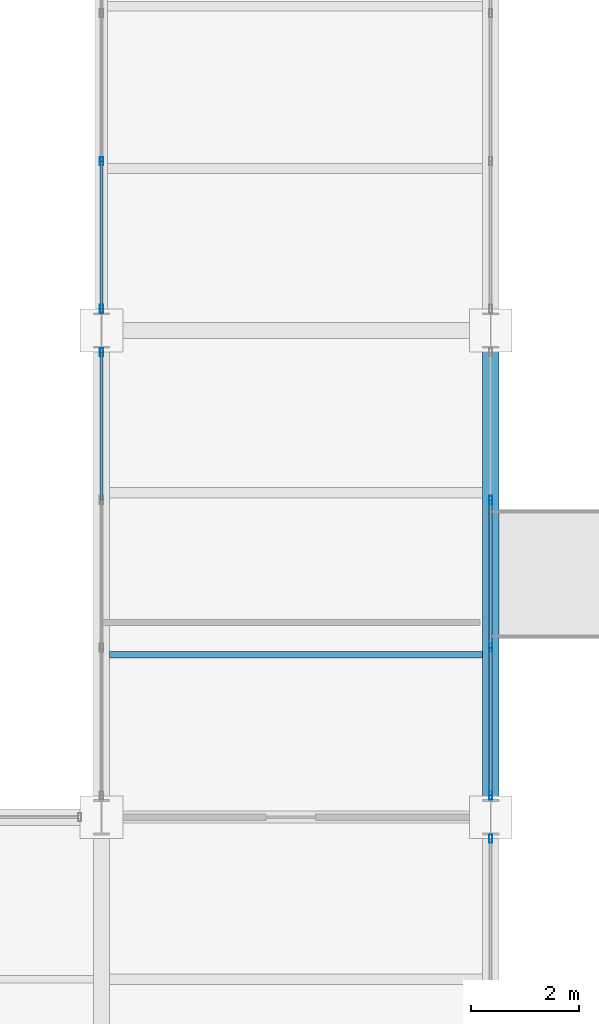
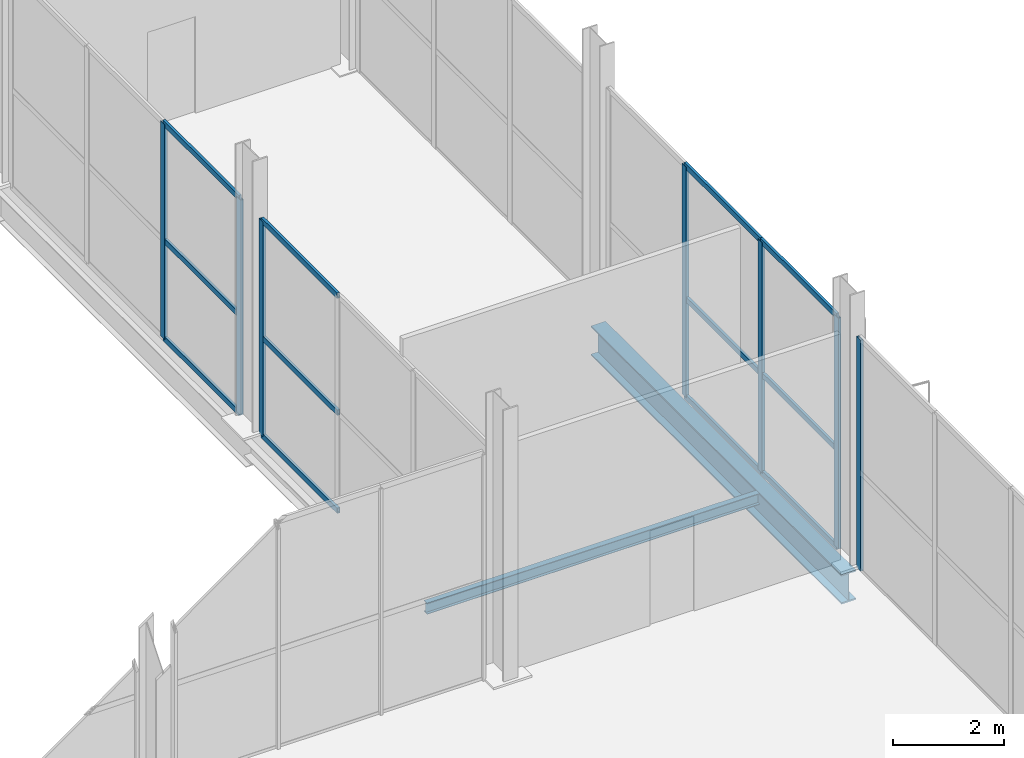
# One storey, part 92 of 144: 19 members, 2 beams, 4 elements without a shape of their own.
"""IFC4 building model written with IfcOpenShell, lengths in metres."""

from ifc_helpers import new_model, si_unit, direction, frame, origin, origin_2d, place, context, subcontext, project, spatial, hollow_rectangle, i_section, extrude, material, layer, layer_set, material_profile, profile_set, type_object, element, aggregate, save


model = new_model("IFC4")

# Units and contexts
model_context = context("Model", 3, precision=1e-05, world=origin(), true_north=direction((0.0, 1.0)))
body_context = subcontext(model_context, "Body", "Model", "MODEL_VIEW")
ifc_project = project(units=[si_unit("LENGTHUNIT", "METRE"), si_unit("AREAUNIT", "SQUARE_METRE"), si_unit("VOLUMEUNIT", "CUBIC_METRE"), si_unit("PLANEANGLEUNIT", "RADIAN"), si_unit("MASSUNIT", "GRAM", prefix="KILO")], contexts=[model_context])

# Site, building, storey
site_placement = place(None, origin())
site = spatial("IfcSite", under=ifc_project, at=site_placement, CompositionType="ELEMENT")
building_placement = place(site_placement, origin())
building = spatial("IfcBuilding", under=site, at=building_placement, Name="Sundgate Opera House", CompositionType="ELEMENT")
storey_placement = place(building_placement, origin())
storey = spatial("IfcBuildingStorey", under=building, at=storey_placement, Name="L00", CompositionType="ELEMENT", Elevation=0.0)

# Beams
ifc_material_1 = material(Name="Steel S355J2", Category="steel")
ifc_material_profile_1 = material_profile(ifc_material_1, i_section(OverallWidth=0.300048828125, OverallDepth=0.64990234375, WebThickness=0.01611328125, FlangeThickness=0.031005859375, at=origin_2d()), Name="HEB 650")
ifc_profile_set_1 = profile_set([ifc_material_profile_1], Name="Steel S355J2")
beam_type_1 = type_object("IfcBeamType", Name="BM-GR-HEB650", PredefinedType="BEAM", material=ifc_profile_set_1)
beam_1_placement = place(storey_placement, frame((145.800048828125, 42.0, -0.64501953125), z_axis=(0.0, 1.0, 0.0), x_axis=(-1.0, 0.0, 0.0)))
element("IfcBeam", 1, at=beam_1_placement, inside=storey, type_object=beam_type_1, Name="L00 Primary N-S Girder B0280", PredefinedType="BEAM", context=body_context, shape_type="SweptSolid", body=[
    extrude(i_section(OverallWidth=0.300048828125, OverallDepth=0.64990234375, WebThickness=0.01611328125, FlangeThickness=0.031005859375, at=origin_2d()), origin(), (0.0, 0.0, 1.0), 9.0),
])
ifc_material_2 = material(Name="Steel S355J2", Category="steel")
ifc_material_profile_2 = material_profile(ifc_material_2, i_section(OverallWidth=0.1201171875, OverallDepth=0.239990234375, WebThickness=0.006103515625, FlangeThickness=0.009765625, at=origin_2d()), Name="IPE 240")
ifc_profile_set_2 = profile_set([ifc_material_profile_2], Name="Steel S355J2")
beam_type_2 = type_object("IfcBeamType", Name="BM-JS-IPE240", PredefinedType="JOIST", material=ifc_profile_set_2)
beam_2_placement = place(storey_placement, frame((138.75, 45.0, -0.43994140625), z_axis=(1.0, 0.0, 0.0), x_axis=(0.0, 1.0, 0.0)))
element("IfcBeam", 2, at=beam_2_placement, inside=storey, type_object=beam_type_2, Name="L00 Secondary Floor Joist B0769", PredefinedType="JOIST", context=body_context, shape_type="SweptSolid", body=[
    extrude(i_section(OverallWidth=0.1201171875, OverallDepth=0.239990234375, WebThickness=0.006103515625, FlangeThickness=0.009765625, at=origin_2d()), origin(), (0.0, 0.0, 1.0), 6.89990234375),
])

# Curtain wall, member
ifc_material_3 = material(Name="Anodized aluminium and low-iron glass", Category="aluminium")
ifc_layer = layer(ifc_material_3, 0.159912109375)
ifc_layer_set = layer_set([ifc_layer], Name="Anodized aluminium and low-iron glass")
curtain_wall_type = type_object("IfcCurtainWallType", Name="CW-STUDIO-DARK", PredefinedType="NOTDEFINED", material=ifc_layer_set)
curtain_wall_1_placement = place(storey_placement, origin())
curtain_wall_1 = element("IfcCurtainWall", 3, at=curtain_wall_1_placement, inside=storey, type_object=curtain_wall_type, Name="L00 Curtain Wall CW027", PredefinedType="NOTDEFINED")
ifc_material_4 = material(Name="Anodized aluminium EN AW-6063", Category="aluminium")
ifc_material_profile_3 = material_profile(ifc_material_4, hollow_rectangle(XDim=0.06005859375, YDim=0.14990234375, WallThickness=0.00390625, at=origin_2d()), Name="CWM 150x60x4")
ifc_profile_set_3 = profile_set([ifc_material_profile_3], Name="Anodized aluminium EN AW-6063")
member_type_1 = type_object("IfcMemberType", Name="CWM-ALU-150x60", PredefinedType="MULLION", material=ifc_profile_set_3)
member_1_placement = place(storey_placement, frame((145.800048828125, 41.60009765625, 0.0), z_axis=(0.0, 0.0, 1.0), x_axis=(1.0, 0.0, 0.0)))
member_1 = element("IfcMember", 4, at=member_1_placement, type_object=member_type_1, Name="CW027 Mullion 4", PredefinedType="MULLION", context=body_context, shape_type="SweptSolid", body=[
    extrude(hollow_rectangle(XDim=0.06005859375, YDim=0.14990234375, WallThickness=0.00390625, at=origin_2d()), origin(), (0.0, 0.0, 1.0), 5.06494140625),
])
aggregate(curtain_wall_1, [member_1])

# Curtain wall, members
curtain_wall_2_placement = place(storey_placement, origin())
curtain_wall_2 = element("IfcCurtainWall", 5, at=curtain_wall_2_placement, inside=storey, type_object=curtain_wall_type, Name="L00 Curtain Wall CW029", PredefinedType="NOTDEFINED")
member_2_placement = place(storey_placement, frame((145.800048828125, 42.39990234375, 0.0), z_axis=(0.0, 0.0, 1.0), x_axis=(1.0, 0.0, 0.0)))
member_2 = element("IfcMember", 6, at=member_2_placement, type_object=member_type_1, Name="CW029 Mullion 1", PredefinedType="MULLION", context=body_context, shape_type="SweptSolid", body=[
    extrude(hollow_rectangle(XDim=0.06005859375, YDim=0.14990234375, WallThickness=0.00390625, at=origin_2d()), origin(), (0.0, 0.0, 1.0), 5.06494140625),
])
member_3_placement = place(storey_placement, frame((145.800048828125, 45.13330078125, 0.0), z_axis=(0.0, 0.0, 1.0), x_axis=(1.0, 0.0, 0.0)))
member_3 = element("IfcMember", 7, at=member_3_placement, type_object=member_type_1, Name="CW029 Mullion 2", PredefinedType="MULLION", context=body_context, shape_type="SweptSolid", body=[
    extrude(hollow_rectangle(XDim=0.06005859375, YDim=0.14990234375, WallThickness=0.00390625, at=origin_2d()), origin(), (0.0, 0.0, 1.0), 5.06494140625),
])
member_4_placement = place(storey_placement, frame((145.800048828125, 47.86669921875, 0.0), z_axis=(0.0, 0.0, 1.0), x_axis=(1.0, 0.0, 0.0)))
member_4 = element("IfcMember", 8, at=member_4_placement, type_object=member_type_1, Name="CW029 Mullion 3", PredefinedType="MULLION", context=body_context, shape_type="SweptSolid", body=[
    extrude(hollow_rectangle(XDim=0.06005859375, YDim=0.14990234375, WallThickness=0.00390625, at=origin_2d()), origin(), (0.0, 0.0, 1.0), 5.06494140625),
])

# Curtain wall, member
curtain_wall_3_placement = place(storey_placement, origin())
curtain_wall_3 = element("IfcCurtainWall", 9, at=curtain_wall_3_placement, inside=storey, type_object=curtain_wall_type, Name="L00 Curtain Wall CW041", PredefinedType="NOTDEFINED")
member_5_placement = place(storey_placement, frame((138.60009765625, 50.60009765625, 0.0), z_axis=(0.0, 0.0, 1.0), x_axis=(1.0, 0.0, 0.0)))
member_5 = element("IfcMember", 10, at=member_5_placement, type_object=member_type_1, Name="CW041 Mullion 1", PredefinedType="MULLION", context=body_context, shape_type="SweptSolid", body=[
    extrude(hollow_rectangle(XDim=0.06005859375, YDim=0.14990234375, WallThickness=0.00390625, at=origin_2d()), origin(), (0.0, 0.0, 1.0), 4.715087890625),
])

# Curtain wall, members
curtain_wall_4_placement = place(storey_placement, origin())
curtain_wall_4 = element("IfcCurtainWall", 11, at=curtain_wall_4_placement, inside=storey, type_object=curtain_wall_type, Name="L00 Curtain Wall CW043", PredefinedType="NOTDEFINED")
member_6_placement = place(storey_placement, frame((138.60009765625, 54.13330078125, 0.0), z_axis=(0.0, 0.0, 1.0), x_axis=(1.0, 0.0, 0.0)))
member_6 = element("IfcMember", 12, at=member_6_placement, type_object=member_type_1, Name="CW043 Mullion 3", PredefinedType="MULLION", context=body_context, shape_type="SweptSolid", body=[
    extrude(hollow_rectangle(XDim=0.06005859375, YDim=0.14990234375, WallThickness=0.00390625, at=origin_2d()), origin(), (0.0, 0.0, 1.0), 4.715087890625),
])
member_7_placement = place(storey_placement, frame((138.60009765625, 51.39990234375, 0.0), z_axis=(0.0, 0.0, 1.0), x_axis=(1.0, 0.0, 0.0)))
member_7 = element("IfcMember", 13, at=member_7_placement, type_object=member_type_1, Name="CW043 Mullion 4", PredefinedType="MULLION", context=body_context, shape_type="SweptSolid", body=[
    extrude(hollow_rectangle(XDim=0.06005859375, YDim=0.14990234375, WallThickness=0.00390625, at=origin_2d()), origin(), (0.0, 0.0, 1.0), 4.715087890625),
])

# Member
ifc_material_5 = material(Name="Anodized aluminium EN AW-6063", Category="aluminium")
ifc_material_profile_4 = material_profile(ifc_material_5, hollow_rectangle(XDim=0.054931640625, YDim=0.1201171875, WallThickness=0.00390625, at=origin_2d()), Name="CWT 120x55x4")
ifc_profile_set_4 = profile_set([ifc_material_profile_4], Name="Anodized aluminium EN AW-6063")
member_type_2 = type_object("IfcMemberType", Name="CWT-ALU-120x55", PredefinedType="USERDEFINED", material=ifc_profile_set_4)
member_8_placement = place(storey_placement, frame((145.800048828125, 42.39990234375, 0.0), z_axis=(0.0, 1.0, 0.0), x_axis=(-1.0, 0.0, 0.0)))
member_8 = element("IfcMember", 14, at=member_8_placement, type_object=member_type_2, Name="CW029 Transom 1", ObjectType="TRANSOM", PredefinedType="USERDEFINED", context=body_context, shape_type="SweptSolid", body=[
    extrude(hollow_rectangle(XDim=0.054931640625, YDim=0.1201171875, WallThickness=0.00390625, at=origin_2d()), origin(), (0.0, 0.0, 1.0), 2.7333984375),
])

member_9_placement = place(storey_placement, frame((145.800048828125, 42.39990234375, 2.14990234375), z_axis=(0.0, 1.0, 0.0), x_axis=(-1.0, 0.0, 0.0)))
member_9 = element("IfcMember", 15, at=member_9_placement, type_object=member_type_2, Name="CW029 Transom 2", ObjectType="TRANSOM", PredefinedType="USERDEFINED", context=body_context, shape_type="SweptSolid", body=[
    extrude(hollow_rectangle(XDim=0.054931640625, YDim=0.1201171875, WallThickness=0.00390625, at=origin_2d()), origin(), (0.0, 0.0, 1.0), 2.7333984375),
])

member_10_placement = place(storey_placement, frame((145.800048828125, 42.39990234375, 5.06494140625), z_axis=(0.0, 1.0, 0.0), x_axis=(-1.0, 0.0, 0.0)))
member_10 = element("IfcMember", 16, at=member_10_placement, type_object=member_type_2, Name="CW029 Transom 3", ObjectType="TRANSOM", PredefinedType="USERDEFINED", context=body_context, shape_type="SweptSolid", body=[
    extrude(hollow_rectangle(XDim=0.054931640625, YDim=0.1201171875, WallThickness=0.00390625, at=origin_2d()), origin(), (0.0, 0.0, 1.0), 2.7333984375),
])

member_11_placement = place(storey_placement, frame((145.800048828125, 45.13330078125, 0.0), z_axis=(0.0, 1.0, 0.0), x_axis=(-1.0, 0.0, 0.0)))
member_11 = element("IfcMember", 17, at=member_11_placement, type_object=member_type_2, Name="CW029 Transom 4", ObjectType="TRANSOM", PredefinedType="USERDEFINED", context=body_context, shape_type="SweptSolid", body=[
    extrude(hollow_rectangle(XDim=0.054931640625, YDim=0.1201171875, WallThickness=0.00390625, at=origin_2d()), origin(), (0.0, 0.0, 1.0), 2.7333984375),
])

member_12_placement = place(storey_placement, frame((145.800048828125, 45.13330078125, 2.14990234375), z_axis=(0.0, 1.0, 0.0), x_axis=(-1.0, 0.0, 0.0)))
member_12 = element("IfcMember", 18, at=member_12_placement, type_object=member_type_2, Name="CW029 Transom 5", ObjectType="TRANSOM", PredefinedType="USERDEFINED", context=body_context, shape_type="SweptSolid", body=[
    extrude(hollow_rectangle(XDim=0.054931640625, YDim=0.1201171875, WallThickness=0.00390625, at=origin_2d()), origin(), (0.0, 0.0, 1.0), 2.7333984375),
])

member_13_placement = place(storey_placement, frame((145.800048828125, 45.13330078125, 5.06494140625), z_axis=(0.0, 1.0, 0.0), x_axis=(-1.0, 0.0, 0.0)))
member_13 = element("IfcMember", 19, at=member_13_placement, type_object=member_type_2, Name="CW029 Transom 6", ObjectType="TRANSOM", PredefinedType="USERDEFINED", context=body_context, shape_type="SweptSolid", body=[
    extrude(hollow_rectangle(XDim=0.054931640625, YDim=0.1201171875, WallThickness=0.00390625, at=origin_2d()), origin(), (0.0, 0.0, 1.0), 2.7333984375),
])

aggregate(curtain_wall_2, [member_2, member_3, member_4, member_8, member_9, member_10, member_11, member_12, member_13])

member_14_placement = place(storey_placement, frame((138.60009765625, 50.60009765625, 0.0), z_axis=(0.0, -1.0, 0.0), x_axis=(1.0, 0.0, 0.0)))
member_14 = element("IfcMember", 20, at=member_14_placement, type_object=member_type_2, Name="CW041 Transom 1", ObjectType="TRANSOM", PredefinedType="USERDEFINED", context=body_context, shape_type="SweptSolid", body=[
    extrude(hollow_rectangle(XDim=0.054931640625, YDim=0.1201171875, WallThickness=0.00390625, at=origin_2d()), origin(), (0.0, 0.0, 1.0), 2.7333984375),
])

member_15_placement = place(storey_placement, frame((138.60009765625, 50.60009765625, 2.14990234375), z_axis=(0.0, -1.0, 0.0), x_axis=(1.0, 0.0, 0.0)))
member_15 = element("IfcMember", 21, at=member_15_placement, type_object=member_type_2, Name="CW041 Transom 2", ObjectType="TRANSOM", PredefinedType="USERDEFINED", context=body_context, shape_type="SweptSolid", body=[
    extrude(hollow_rectangle(XDim=0.054931640625, YDim=0.1201171875, WallThickness=0.00390625, at=origin_2d()), origin(), (0.0, 0.0, 1.0), 2.7333984375),
])

member_16_placement = place(storey_placement, frame((138.60009765625, 50.60009765625, 4.715087890625), z_axis=(0.0, -1.0, 0.0), x_axis=(1.0, 0.0, 0.0)))
member_16 = element("IfcMember", 22, at=member_16_placement, type_object=member_type_2, Name="CW041 Transom 3", ObjectType="TRANSOM", PredefinedType="USERDEFINED", context=body_context, shape_type="SweptSolid", body=[
    extrude(hollow_rectangle(XDim=0.054931640625, YDim=0.1201171875, WallThickness=0.00390625, at=origin_2d()), origin(), (0.0, 0.0, 1.0), 2.7333984375),
])

aggregate(curtain_wall_3, [member_5, member_14, member_15, member_16])

member_17_placement = place(storey_placement, frame((138.60009765625, 54.13330078125, 0.0), z_axis=(0.0, -1.0, 0.0), x_axis=(1.0, 0.0, 0.0)))
member_17 = element("IfcMember", 23, at=member_17_placement, type_object=member_type_2, Name="CW043 Transom 7", ObjectType="TRANSOM", PredefinedType="USERDEFINED", context=body_context, shape_type="SweptSolid", body=[
    extrude(hollow_rectangle(XDim=0.054931640625, YDim=0.1201171875, WallThickness=0.00390625, at=origin_2d()), origin(), (0.0, 0.0, 1.0), 2.7333984375),
])

member_18_placement = place(storey_placement, frame((138.60009765625, 54.13330078125, 2.14990234375), z_axis=(0.0, -1.0, 0.0), x_axis=(1.0, 0.0, 0.0)))
member_18 = element("IfcMember", 24, at=member_18_placement, type_object=member_type_2, Name="CW043 Transom 8", ObjectType="TRANSOM", PredefinedType="USERDEFINED", context=body_context, shape_type="SweptSolid", body=[
    extrude(hollow_rectangle(XDim=0.054931640625, YDim=0.1201171875, WallThickness=0.00390625, at=origin_2d()), origin(), (0.0, 0.0, 1.0), 2.7333984375),
])

member_19_placement = place(storey_placement, frame((138.60009765625, 54.13330078125, 4.715087890625), z_axis=(0.0, -1.0, 0.0), x_axis=(1.0, 0.0, 0.0)))
member_19 = element("IfcMember", 25, at=member_19_placement, type_object=member_type_2, Name="CW043 Transom 9", ObjectType="TRANSOM", PredefinedType="USERDEFINED", context=body_context, shape_type="SweptSolid", body=[
    extrude(hollow_rectangle(XDim=0.054931640625, YDim=0.1201171875, WallThickness=0.00390625, at=origin_2d()), origin(), (0.0, 0.0, 1.0), 2.7333984375),
])

aggregate(curtain_wall_4, [member_6, member_7, member_17, member_18, member_19])

save(model, "model.ifc")
